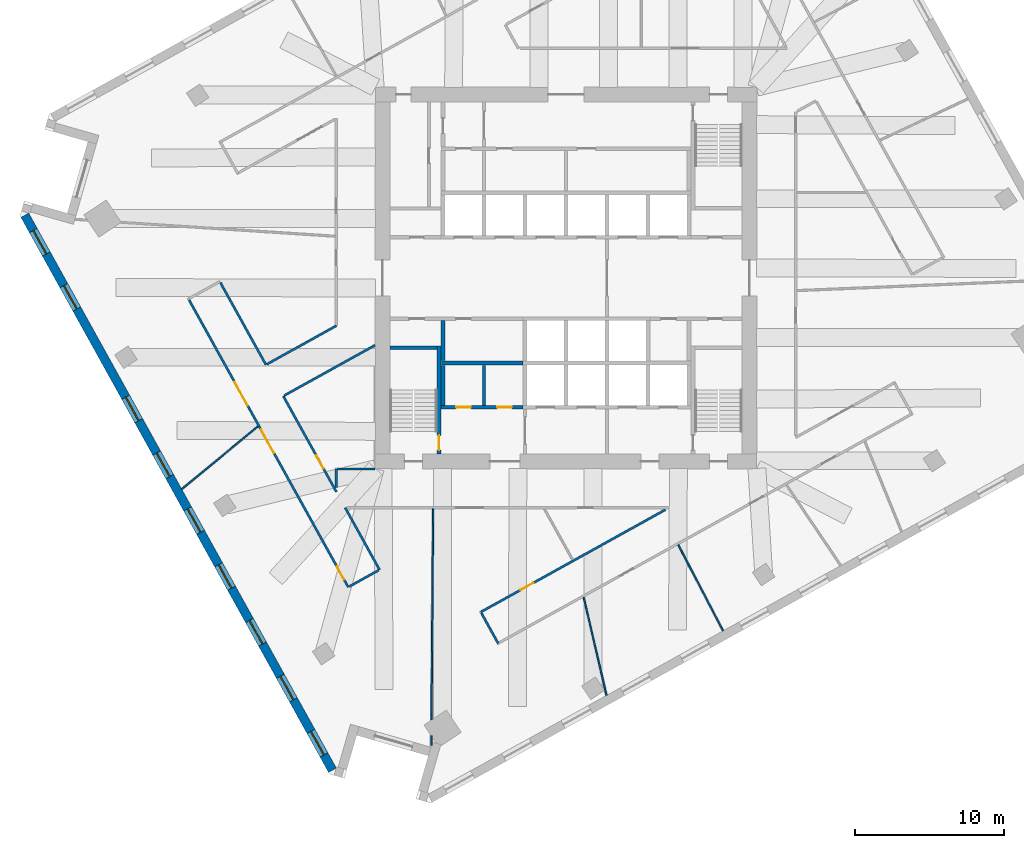
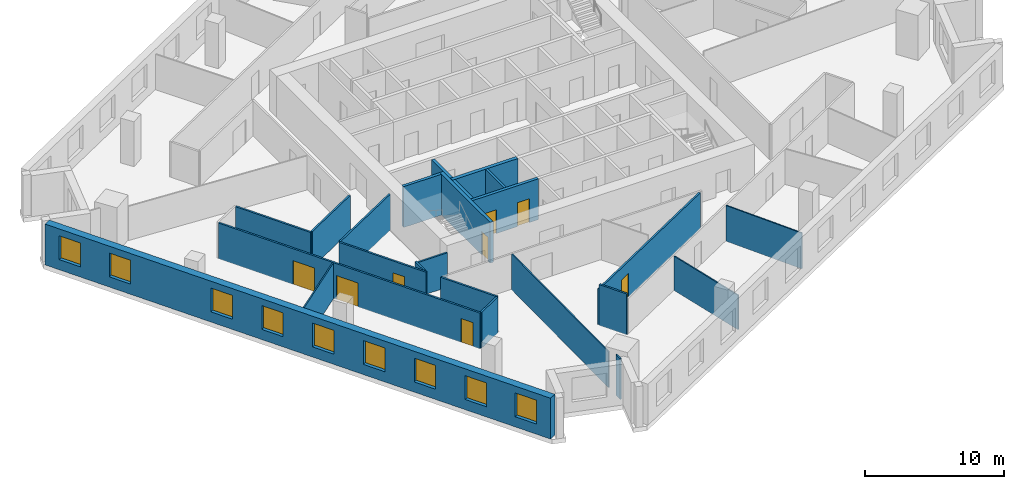
# One storey, part 4 of 11: 24 walls, 9 windows, 8 doors, 17 openings.
"""IFC4 building model written with IfcOpenShell, lengths in metres."""

from ifc_helpers import new_model, si_unit, direction, frame, frame_2d, origin, place, context, subcontext, project, spatial, rectangle, extrude, material, layer, layer_set, type_object, element, fill, save


model = new_model("IFC4")

# Units and contexts
model_context = context("Model", 3, precision=1e-05, world=origin(), true_north=direction((0.0, 1.0)))
body_context = subcontext(model_context, "Body", "Model", "MODEL_VIEW")
ifc_project = project(units=[si_unit("LENGTHUNIT", "METRE"), si_unit("AREAUNIT", "SQUARE_METRE"), si_unit("VOLUMEUNIT", "CUBIC_METRE"), si_unit("PLANEANGLEUNIT", "RADIAN"), si_unit("MASSUNIT", "GRAM", prefix="KILO")], contexts=[model_context])

# Site, building, storey
site_placement = place(None, origin())
site = spatial("IfcSite", under=ifc_project, at=site_placement, CompositionType="ELEMENT")
building_placement = place(site_placement, origin())
building = spatial("IfcBuilding", under=site, at=building_placement, Name="Dilmun Exchange Tower", CompositionType="ELEMENT")
storey_placement = place(building_placement, frame((0.0, 0.0, 135.699951171875)))
storey = spatial("IfcBuildingStorey", under=building, at=storey_placement, Name="L31", CompositionType="ELEMENT", Elevation=135.699951171875)

# Wall
ifc_material_1 = material(Name="Concrete C40/50", Category="concrete")
ifc_layer_1 = layer(ifc_material_1, 0.199951171875)
ifc_layer_set_1 = layer_set([ifc_layer_1], Name="Concrete C40/50")
wall_type_1 = type_object("IfcWallType", Name="Core partition wall 200", PredefinedType="PARTITIONING", material=ifc_layer_set_1)
wall_1_placement = place(storey_placement, frame((-5.5, -8.544921875, 0.0), z_axis=(0.0, 0.0, 1.0), x_axis=(0.0, 1.0, 0.0)))
element("IfcWall", 1, at=wall_1_placement, inside=storey, type_object=wall_type_1, Name="L31 core partition wall 05", PredefinedType="PARTITIONING", context=body_context, shape_type="SweptSolid", body=[
    extrude(rectangle(XDim=2.68994140625, YDim=0.199951171875, at=frame_2d((1.344970703125, 0.0))), origin(), (0.0, 0.0, 1.0), 3.60009765625),
])

# Wall, openings, doors
ifc_layer_2 = layer(ifc_material_1, 0.25)
ifc_layer_set_2 = layer_set([ifc_layer_2], Name="Concrete C40/50")
wall_type_2 = type_object("IfcWallType", Name="Core partition wall 250", PredefinedType="PARTITIONING", material=ifc_layer_set_2)
wall_2_placement = place(storey_placement, frame((-8.3701171875, -8.675048828125, 0.0), z_axis=(0.0, 0.0, 1.0), x_axis=(1.0, 0.0, 0.0)))
wall_2 = element("IfcWall", 2, at=wall_2_placement, inside=storey, type_object=wall_type_2, Name="L31 core partition wall 03", PredefinedType="PARTITIONING", context=body_context, shape_type="SweptSolid", body=[
    extrude(rectangle(XDim=5.490234375, YDim=0.25, at=frame_2d((2.7451171875, 0.0))), origin(), (0.0, 0.0, 1.0), 3.60009765625),
])
opening_1_placement = place(wall_2_placement, frame((0.9951171875, 0.0, 0.0)))
opening_1 = element("IfcOpeningElement", 3, at=opening_1_placement, cuts=wall_2, Name="Opening CD4", PredefinedType="OPENING", context=body_context, shape_type="SweptSolid", body=[
    extrude(rectangle(XDim=1.0, YDim=2.10009765625, at=frame_2d((0.5, 1.050048828125))), frame((0.0, 0.135009765625, 0.0), z_axis=(0.0, -1.0, 0.0), x_axis=(1.0, 0.0, 0.0)), (0.0, 0.0, 1.0), 0.27001953125),
])
opening_2_placement = place(wall_2_placement, frame((3.7451171875, 0.0, 0.0)))
opening_2 = element("IfcOpeningElement", 4, at=opening_2_placement, cuts=wall_2, Name="Opening CD4", PredefinedType="OPENING", context=body_context, shape_type="SweptSolid", body=[
    extrude(rectangle(XDim=1.0, YDim=2.10009765625, at=frame_2d((0.5, 1.050048828125))), frame((0.0, 0.135009765625, 0.0), z_axis=(0.0, -1.0, 0.0), x_axis=(1.0, 0.0, 0.0)), (0.0, 0.0, 1.0), 0.27001953125),
])
ifc_material_2 = material(Name="Fire-rated steel door set", Category="steel")
door_type_1 = type_object("IfcDoorType", Name="Core room door 1000x2100", OperationType="SINGLE_SWING_LEFT", PredefinedType="DOOR", material=ifc_material_2)
door_1_placement = place(opening_1_placement, origin())
door_1 = element("IfcDoor", 5, at=door_1_placement, inside=storey, type_object=door_type_1, Name="L31 door Male WC", OperationType="SINGLE_SWING_RIGHT", OverallHeight=2.10009765625, OverallWidth=1.0, PredefinedType="DOOR", context=body_context, shape_type="SweptSolid", body=[
    extrude(rectangle(XDim=1.0, YDim=2.10009765625, at=frame_2d((0.5, 1.050048828125))), frame((0.0, 0.02490234375, 0.0), z_axis=(0.0, -1.0, 0.0), x_axis=(1.0, 0.0, 0.0)), (0.0, 0.0, 1.0), 0.050048828125),
])
fill(opening_1, door_1)
door_2_placement = place(opening_2_placement, origin())
door_2 = element("IfcDoor", 6, at=door_2_placement, inside=storey, type_object=door_type_1, Name="L31 door Female WC", OperationType="SINGLE_SWING_RIGHT", OverallHeight=2.10009765625, OverallWidth=1.0, PredefinedType="DOOR", context=body_context, shape_type="SweptSolid", body=[
    extrude(rectangle(XDim=1.0, YDim=2.10009765625, at=frame_2d((0.5, 1.050048828125))), frame((0.0, 0.02490234375, 0.0), z_axis=(0.0, -1.0, 0.0), x_axis=(1.0, 0.0, 0.0)), (0.0, 0.0, 1.0), 0.050048828125),
])
fill(opening_2, door_2)

# Walls
for number, where, z_axis, x_axis, name in (
    (7, (-8.25, -8.544921875, 0.0), (0.0, 0.0, 1.0), (0.0, 1.0, 0.0), "L31 core partition wall 04"),
    (8, (-8.25, -5.544921875, 0.0), (0.0, 0.0, 1.0), (0.0, 1.0, 0.0), "L31 core partition wall 07"),
):
    element("IfcWall", number, at=place(storey_placement, frame(where, z_axis=z_axis, x_axis=x_axis)), inside=storey, type_object=wall_type_2, Name=name, PredefinedType="PARTITIONING", context=body_context, shape_type="SweptSolid", body=[
        extrude(rectangle(XDim=2.68994140625, YDim=0.25, at=frame_2d((1.344970703125, 0.0))), origin(), (0.0, 0.0, 1.0), 3.60009765625),
    ])
ifc_layer_3 = layer(ifc_material_1, 0.300048828125)
ifc_layer_set_3 = layer_set([ifc_layer_3], Name="Concrete C40/50")
wall_type_3 = type_object("IfcWallType", Name="Core partition wall 300", PredefinedType="PARTITIONING", material=ifc_layer_set_3)
wall_3_placement = place(storey_placement, frame((-8.35009765625, -5.699951171875, 0.0), z_axis=(0.0, 0.0, 1.0), x_axis=(1.0, 0.0, 0.0)))
element("IfcWall", 9, at=wall_3_placement, inside=storey, type_object=wall_type_3, Name="L31 core partition wall 06", PredefinedType="PARTITIONING", context=body_context, shape_type="SweptSolid", body=[
    extrude(rectangle(XDim=5.47021484375, YDim=0.300048828125, at=frame_2d((2.735107421875, 0.0))), origin(), (0.0, 0.0, 1.0), 3.60009765625),
])

# Wall, openings, doors
ifc_material_3 = material(Name="Corridor wall 150")
ifc_layer_4 = layer(ifc_material_3, 0.14990234375)
ifc_layer_set_4 = layer_set([ifc_layer_4], Name="Corridor wall 150")
wall_type_4 = type_object("IfcWallType", Name="Corridor wall 150", PredefinedType="PARTITIONING", material=ifc_layer_set_4)
wall_4_placement = place(storey_placement, frame((-25.278564453125, -1.466552734375, 0.0), z_axis=(0.0, 0.0, 1.0), x_axis=(0.484803020703, -0.874623365294, 0.0)))
wall_4 = element("IfcWall", 10, at=wall_4_placement, inside=storey, type_object=wall_type_4, Name="Corridor wall", PredefinedType="PARTITIONING", context=body_context, shape_type="SweptSolid", body=[
    extrude(rectangle(XDim=22.020263671875, YDim=0.14990234375, at=frame_2d((11.01025390625, 0.0))), origin(), (0.0, 0.0, 1.0), 3.150146484375),
])
opening_3_placement = place(wall_4_placement, frame((6.300048828125, 0.0, 0.0)))
opening_3 = element("IfcOpeningElement", 11, at=opening_3_placement, cuts=wall_4, Name="Opening TF31-D01", PredefinedType="OPENING", context=body_context, shape_type="SweptSolid", body=[
    extrude(rectangle(XDim=1.800048828125, YDim=2.10009765625, at=frame_2d((0.89990234375, 1.050048828125))), frame((0.0, 0.0849609375, 0.0), z_axis=(0.0, -1.0, 0.0), x_axis=(1.0, 0.0, 0.0)), (0.0, 0.0, 1.0), 0.169921875),
])
opening_4_placement = place(wall_4_placement, frame((9.94775390625, 0.0, 0.0)))
opening_4 = element("IfcOpeningElement", 12, at=opening_4_placement, cuts=wall_4, Name="Opening TF31-D05", PredefinedType="OPENING", context=body_context, shape_type="SweptSolid", body=[
    extrude(rectangle(XDim=1.800048828125, YDim=2.10009765625, at=frame_2d((0.89990234375, 1.050048828125))), frame((0.0, 0.0849609375, 0.0), z_axis=(0.0, -1.0, 0.0), x_axis=(1.0, 0.0, 0.0)), (0.0, 0.0, 1.0), 0.169921875),
])
opening_5_placement = place(wall_4_placement, frame((20.44775390625, 0.0, 0.0)))
opening_5 = element("IfcOpeningElement", 13, at=opening_5_placement, cuts=wall_4, Name="Opening TF31-D06", PredefinedType="OPENING", context=body_context, shape_type="SweptSolid", body=[
    extrude(rectangle(XDim=1.0, YDim=2.10009765625, at=frame_2d((0.5, 1.050048828125))), frame((0.0, 0.0849609375, 0.0), z_axis=(0.0, -1.0, 0.0), x_axis=(1.0, 0.0, 0.0)), (0.0, 0.0, 1.0), 0.169921875),
])
ifc_material_4 = material(Name="Fire door 1000 x 2100")
door_type_2 = type_object("IfcDoorType", Name="Fire door 1000 x 2100", OperationType="NOTDEFINED", PredefinedType="DOOR", material=ifc_material_4)
door_3_placement = place(opening_5_placement, frame((1.0, 0.0, 0.0), z_axis=(0.0, 0.0, 1.0), x_axis=(-1.0, 0.0, 0.0)))
door_3 = element("IfcDoor", 14, at=door_3_placement, inside=storey, type_object=door_type_2, Name="Door TF31-D06", OperationType="SINGLE_SWING_LEFT", OverallHeight=2.10009765625, OverallWidth=1.0, PredefinedType="DOOR", context=body_context, shape_type="SweptSolid", body=[
    extrude(rectangle(XDim=1.0, YDim=2.10009765625, at=frame_2d((0.5, 1.050048828125))), frame((0.0, 0.02490234375, 0.0), z_axis=(0.0, -1.0, 0.0), x_axis=(1.0, 0.0, 0.0)), (0.0, 0.0, 1.0), 0.050048828125),
])
fill(opening_5, door_3)
ifc_material_5 = material(Name="Fire door pair 1800 x 2100")
door_type_3 = type_object("IfcDoorType", Name="Fire door pair 1800 x 2100", OperationType="NOTDEFINED", PredefinedType="DOOR", material=ifc_material_5)
door_4_placement = place(opening_3_placement, frame((1.800048828125, 0.0, 0.0), z_axis=(0.0, 0.0, 1.0), x_axis=(-1.0, 0.0, 0.0)))
door_4 = element("IfcDoor", 15, at=door_4_placement, inside=storey, type_object=door_type_3, Name="Door TF31-D01", OperationType="DOUBLE_DOOR_SINGLE_SWING", OverallHeight=2.10009765625, OverallWidth=1.800048828125, PredefinedType="DOOR", context=body_context, shape_type="SweptSolid", body=[
    extrude(rectangle(XDim=1.800048828125, YDim=2.10009765625, at=frame_2d((0.89990234375, 1.050048828125))), frame((0.0, 0.02490234375, 0.0), z_axis=(0.0, -1.0, 0.0), x_axis=(1.0, 0.0, 0.0)), (0.0, 0.0, 1.0), 0.050048828125),
])
fill(opening_3, door_4)
door_5_placement = place(opening_4_placement, frame((1.800048828125, 0.0, 0.0), z_axis=(0.0, 0.0, 1.0), x_axis=(-1.0, 0.0, 0.0)))
door_5 = element("IfcDoor", 16, at=door_5_placement, inside=storey, type_object=door_type_3, Name="Door TF31-D05", OperationType="DOUBLE_DOOR_SINGLE_SWING", OverallHeight=2.10009765625, OverallWidth=1.800048828125, PredefinedType="DOOR", context=body_context, shape_type="SweptSolid", body=[
    extrude(rectangle(XDim=1.800048828125, YDim=2.10009765625, at=frame_2d((0.89990234375, 1.050048828125))), frame((0.0, 0.02490234375, 0.0), z_axis=(0.0, -1.0, 0.0), x_axis=(1.0, 0.0, 0.0)), (0.0, 0.0, 1.0), 0.050048828125),
])
fill(opening_4, door_5)

# Walls
wall_5_placement = place(storey_placement, frame((-23.1796875, -0.302490234375, 0.0), z_axis=(0.0, 0.0, 1.0), x_axis=(0.48477505554, -0.874638865776, 0.0)))
element("IfcWall", 17, at=wall_5_placement, inside=storey, type_object=wall_type_4, Name="Corridor wall", PredefinedType="PARTITIONING", context=body_context, shape_type="SweptSolid", body=[
    extrude(rectangle(XDim=6.307373046875, YDim=0.14990234375, at=frame_2d((3.15380859375, 0.0))), origin(), (0.0, 0.0, 1.0), 3.150146484375),
])
wall_6_placement = place(storey_placement, frame((-20.056396484375, -5.78271484375, 0.0), z_axis=(0.0, 0.0, 1.0), x_axis=(0.874645694613, 0.484762734638, 0.0)))
element("IfcWall", 18, at=wall_6_placement, inside=storey, type_object=wall_type_4, Name="Corridor wall", PredefinedType="PARTITIONING", context=body_context, shape_type="SweptSolid", body=[
    extrude(rectangle(XDim=5.323974609375, YDim=0.14990234375, at=frame_2d((2.662109375, 0.0))), origin(), (0.0, 0.0, 1.0), 3.150146484375),
])

# Wall, opening, door
wall_7_placement = place(storey_placement, frame((-18.958984375, -7.91796875, 0.0), z_axis=(0.0, 0.0, 1.0), x_axis=(0.484857684507, -0.874593062958, 0.0)))
wall_7 = element("IfcWall", 19, at=wall_7_placement, inside=storey, type_object=wall_type_4, Name="Corridor wall", PredefinedType="PARTITIONING", context=body_context, shape_type="SweptSolid", body=[
    extrude(rectangle(XDim=7.340576171875, YDim=0.14990234375, at=frame_2d((3.67041015625, 0.0))), origin(), (0.0, 0.0, 1.0), 3.150146484375),
])
opening_6_placement = place(wall_7_placement, frame((4.55029296875, 0.0, 0.0)))
opening_6 = element("IfcOpeningElement", 20, at=opening_6_placement, cuts=wall_7, Name="Opening TF31-D07", PredefinedType="OPENING", context=body_context, shape_type="SweptSolid", body=[
    extrude(rectangle(XDim=1.0, YDim=2.10009765625, at=frame_2d((0.5, 1.050048828125))), frame((0.0, 0.0849609375, 0.0), z_axis=(0.0, -1.0, 0.0), x_axis=(1.0, 0.0, 0.0)), (0.0, 0.0, 1.0), 0.169921875),
])
door_6_placement = place(opening_6_placement, origin())
door_6 = element("IfcDoor", 21, at=door_6_placement, inside=storey, type_object=door_type_2, Name="Door TF31-D07", OperationType="SINGLE_SWING_LEFT", OverallHeight=2.10009765625, OverallWidth=1.0, PredefinedType="DOOR", context=body_context, shape_type="SweptSolid", body=[
    extrude(rectangle(XDim=1.0, YDim=2.10009765625, at=frame_2d((0.5, 1.050048828125))), frame((0.0, 0.02490234375, 0.0), z_axis=(0.0, -1.0, 0.0), x_axis=(1.0, 0.0, 0.0)), (0.0, 0.0, 1.0), 0.050048828125),
])
fill(opening_6, door_6)

# Walls
wall_8_placement = place(storey_placement, frame((-18.893310546875, -7.881591796875, 0.0), z_axis=(0.0, 0.0, 1.0), x_axis=(0.874670900287, 0.484717253861, 0.0)))
element("IfcWall", 22, at=wall_8_placement, inside=storey, type_object=wall_type_4, Name="Corridor wall", PredefinedType="PARTITIONING", context=body_context, shape_type="SweptSolid", body=[
    extrude(rectangle(XDim=6.96630859375, YDim=0.14990234375, at=frame_2d((3.483154296875, 0.0))), origin(), (0.0, 0.0, 1.0), 3.150146484375),
])
wall_9_placement = place(storey_placement, frame((-15.39990234375, -14.048095703125, 0.0), z_axis=(0.0, 0.0, 1.0), x_axis=(0.0, 1.0, 0.0)))
element("IfcWall", 23, at=wall_9_placement, inside=storey, type_object=wall_type_4, Name="Corridor wall", PredefinedType="PARTITIONING", context=body_context, shape_type="SweptSolid", body=[
    extrude(rectangle(XDim=1.248046875, YDim=0.14990234375, at=frame_2d((0.6240234375, 0.0))), origin(), (0.0, 0.0, 1.0), 3.150146484375),
])
wall_10_placement = place(storey_placement, frame((-15.324951171875, -12.800048828125, 0.0), z_axis=(0.0, 0.0, 1.0), x_axis=(1.0, 0.0, 0.0)))
element("IfcWall", 24, at=wall_10_placement, inside=storey, type_object=wall_type_4, Name="Corridor wall", PredefinedType="PARTITIONING", context=body_context, shape_type="SweptSolid", body=[
    extrude(rectangle(XDim=2.52490234375, YDim=0.14990234375, at=frame_2d((1.262451171875, 0.0))), origin(), (0.0, 0.0, 1.0), 3.030029296875),
])
wall_11_placement = place(storey_placement, frame((-14.81103515625, -15.39990234375, 0.0), z_axis=(0.0, 0.0, 1.0), x_axis=(0.484728084089, -0.874664898401, 0.0)))
element("IfcWall", 25, at=wall_11_placement, inside=storey, type_object=wall_type_4, Name="Corridor wall", PredefinedType="PARTITIONING", context=body_context, shape_type="SweptSolid", body=[
    extrude(rectangle(XDim=4.759521484375, YDim=0.14990234375, at=frame_2d((2.3798828125, 0.0))), origin(), (0.0, 0.0, 1.0), 3.150146484375),
])
wall_12_placement = place(storey_placement, frame((-14.537353515625, -20.689697265625, 0.0), z_axis=(0.0, 0.0, 1.0), x_axis=(0.874699347934, 0.48466591661, 0.0)))
element("IfcWall", 26, at=wall_12_placement, inside=storey, type_object=wall_type_4, Name="Corridor wall", PredefinedType="PARTITIONING", context=body_context, shape_type="SweptSolid", body=[
    extrude(rectangle(XDim=2.249755859375, YDim=0.14990234375, at=frame_2d((1.125, 0.0))), origin(), (0.0, 0.0, 1.0), 3.150146484375),
])

# Wall, opening, door
wall_13_placement = place(storey_placement, frame((-5.714111328125, -22.39892578125, 0.0), z_axis=(0.0, 0.0, 1.0), x_axis=(0.874614395079, 0.484819203334, 0.0)))
wall_13 = element("IfcWall", 27, at=wall_13_placement, inside=storey, type_object=wall_type_4, Name="Corridor wall", PredefinedType="PARTITIONING", context=body_context, shape_type="SweptSolid", body=[
    extrude(rectangle(XDim=14.146240234375, YDim=0.14990234375, at=frame_2d((7.0732421875, 0.0))), origin(), (0.0, 0.0, 1.0), 3.150146484375),
])
opening_7_placement = place(wall_13_placement, frame((3.050048828125, 0.0, 0.0)))
opening_7 = element("IfcOpeningElement", 28, at=opening_7_placement, cuts=wall_13, Name="Opening TF31-D11", PredefinedType="OPENING", context=body_context, shape_type="SweptSolid", body=[
    extrude(rectangle(XDim=1.0, YDim=2.10009765625, at=frame_2d((0.5, 1.050048828125))), frame((0.0, 0.0849609375, 0.0), z_axis=(0.0, -1.0, 0.0), x_axis=(1.0, 0.0, 0.0)), (0.0, 0.0, 1.0), 0.169921875),
])
door_7_placement = place(opening_7_placement, origin())
door_7 = element("IfcDoor", 29, at=door_7_placement, inside=storey, type_object=door_type_2, Name="Door TF31-D11", OperationType="SINGLE_SWING_LEFT", OverallHeight=2.10009765625, OverallWidth=1.0, PredefinedType="DOOR", context=body_context, shape_type="SweptSolid", body=[
    extrude(rectangle(XDim=1.0, YDim=2.10009765625, at=frame_2d((0.5, 1.050048828125))), frame((0.0, 0.02490234375, 0.0), z_axis=(0.0, -1.0, 0.0), x_axis=(1.0, 0.0, 0.0)), (0.0, 0.0, 1.0), 0.050048828125),
])
fill(opening_7, door_7)

# Walls
wall_14_placement = place(storey_placement, frame((-5.677490234375, -22.464599609375, 0.0), z_axis=(0.0, 0.0, 1.0), x_axis=(0.484902784843, -0.874568058673, 0.0)))
element("IfcWall", 30, at=wall_14_placement, inside=storey, type_object=wall_type_4, Name="Corridor wall", PredefinedType="PARTITIONING", context=body_context, shape_type="SweptSolid", body=[
    extrude(rectangle(XDim=2.3251953125, YDim=0.14990234375, at=frame_2d((1.16259765625, 0.0))), origin(), (0.0, 0.0, 1.0), 3.60009765625),
])
ifc_material_6 = material(Name="Partition 100")
ifc_layer_5 = layer(ifc_material_6, 0.10009765625)
ifc_layer_set_5 = layer_set([ifc_layer_5], Name="Partition 100")
wall_type_5 = type_object("IfcWallType", Name="Partition 100", PredefinedType="PARTITIONING", material=ifc_layer_set_5)
wall_15_placement = place(storey_placement, frame((-25.76513671875, -14.15673828125, 0.0), z_axis=(0.0, 0.0, 1.0), x_axis=(0.772001730939, 0.635620427164, 0.0)))
element("IfcWall", 31, at=wall_15_placement, inside=storey, type_object=wall_type_5, Name="Partition", PredefinedType="PARTITIONING", context=body_context, shape_type="SweptSolid", body=[
    extrude(rectangle(XDim=6.603759765625, YDim=0.10009765625, at=frame_2d((3.3017578125, 0.0))), origin(), (0.0, 0.0, 1.0), 3.150146484375),
])
wall_16_placement = place(storey_placement, frame((-9.0361328125, -31.340087890625, 0.0), z_axis=(0.0, 0.0, 1.0), x_axis=(0.008145579251, 0.999966824219, 0.0)))
element("IfcWall", 32, at=wall_16_placement, inside=storey, type_object=wall_type_5, Name="Partition", PredefinedType="PARTITIONING", context=body_context, shape_type="SweptSolid", body=[
    extrude(rectangle(XDim=0.62939453125, YDim=0.10009765625, at=frame_2d((0.314697265625, 0.0))), origin(), (0.0, 0.0, 1.0), 3.60009765625),
])
wall_17_placement = place(storey_placement, frame((-9.022705078125, -29.63720703125, 0.0), z_axis=(0.0, 0.0, 1.0), x_axis=(0.007843639619, 0.999969238186, 0.0)))
element("IfcWall", 33, at=wall_17_placement, inside=storey, type_object=wall_type_5, Name="Partition", PredefinedType="PARTITIONING", context=body_context, shape_type="SweptSolid", body=[
    extrude(rectangle(XDim=14.162353515625, YDim=0.10009765625, at=frame_2d((7.0810546875, 0.0))), origin(), (0.0, 0.0, 1.0), 3.150146484375),
])
wall_18_placement = place(storey_placement, frame((1.18798828125, -21.4189453125, 0.0), z_axis=(0.0, 0.0, 1.0), x_axis=(0.226360220424, -0.974043659499, 0.0)))
element("IfcWall", 34, at=wall_18_placement, inside=storey, type_object=wall_type_5, Name="Partition", PredefinedType="PARTITIONING", context=body_context, shape_type="SweptSolid", body=[
    extrude(rectangle(XDim=6.747314453125, YDim=0.10009765625, at=frame_2d((3.37353515625, 0.0))), origin(), (0.0, 0.0, 1.0), 3.030029296875),
])
wall_19_placement = place(storey_placement, frame((7.5244140625, -17.892578125, 0.0), z_axis=(0.0, 0.0, 1.0), x_axis=(0.462569855846, -0.886582837902, 0.0)))
element("IfcWall", 35, at=wall_19_placement, inside=storey, type_object=wall_type_5, Name="Partition", PredefinedType="PARTITIONING", context=body_context, shape_type="SweptSolid", body=[
    extrude(rectangle(XDim=6.5029296875, YDim=0.10009765625, at=frame_2d((3.25146484375, 0.0))), origin(), (0.0, 0.0, 1.0), 3.150146484375),
])

# Wall, openings, windows
ifc_material_7 = material(Name="Precast concrete C50/60", Category="concrete")
ifc_layer_6 = layer(ifc_material_7, 0.60009765625)
ifc_layer_set_6 = layer_set([ifc_layer_6], Name="Precast concrete C50/60")
wall_type_6 = type_object("IfcWallType", Name="Precast stone-clad wall 600", PredefinedType="STANDARD", material=ifc_layer_set_6)
wall_20_placement = place(storey_placement, frame((-36.291015625, 4.209228515625, 0.0), z_axis=(0.0, 0.0, 1.0), x_axis=(0.484810659622, -0.874619131003, 0.0)))
wall_20 = element("IfcWall", 36, at=wall_20_placement, inside=storey, type_object=wall_type_6, Name="Facade wall L31-09", PredefinedType="STANDARD", context=body_context, shape_type="SweptSolid", body=[
    extrude(rectangle(XDim=42.551513671875, YDim=0.60009765625, at=frame_2d((21.27587890625, 0.0))), origin(), (0.0, 0.0, 1.0), 3.60009765625),
])
opening_8_placement = place(wall_20_placement, frame((1.177978515625, 0.0, 0.89990234375)))
opening_8 = element("IfcOpeningElement", 37, at=opening_8_placement, cuts=wall_20, Name="Opening W180-210", PredefinedType="OPENING", context=body_context, shape_type="SweptSolid", body=[
    extrude(rectangle(XDim=1.800048828125, YDim=2.10009765625, at=frame_2d((0.89990234375, 1.050048828125))), frame((0.0, 0.31005859375, 0.0), z_axis=(0.0, -1.0, 0.0), x_axis=(1.0, 0.0, 0.0)), (0.0, 0.0, 1.0), 0.6201171875),
])
opening_9_placement = place(wall_20_placement, frame((5.395751953125, 0.0, 0.89990234375)))
opening_9 = element("IfcOpeningElement", 38, at=opening_9_placement, cuts=wall_20, Name="Opening W180-210", PredefinedType="OPENING", context=body_context, shape_type="SweptSolid", body=[
    extrude(rectangle(XDim=1.800048828125, YDim=2.10009765625, at=frame_2d((0.89990234375, 1.050048828125))), frame((0.0, 0.31005859375, 0.0), z_axis=(0.0, -1.0, 0.0), x_axis=(1.0, 0.0, 0.0)), (0.0, 0.0, 1.0), 0.6201171875),
])
opening_10_placement = place(wall_20_placement, frame((13.955810546875, 0.0, 0.89990234375)))
opening_10 = element("IfcOpeningElement", 39, at=opening_10_placement, cuts=wall_20, Name="Opening W180-210", PredefinedType="OPENING", context=body_context, shape_type="SweptSolid", body=[
    extrude(rectangle(XDim=1.800048828125, YDim=2.10009765625, at=frame_2d((0.89990234375, 1.050048828125))), frame((0.0, 0.31005859375, 0.0), z_axis=(0.0, -1.0, 0.0), x_axis=(1.0, 0.0, 0.0)), (0.0, 0.0, 1.0), 0.6201171875),
])
opening_11_placement = place(wall_20_placement, frame((18.235595703125, 0.0, 0.89990234375)))
opening_11 = element("IfcOpeningElement", 40, at=opening_11_placement, cuts=wall_20, Name="Opening W180-210", PredefinedType="OPENING", context=body_context, shape_type="SweptSolid", body=[
    extrude(rectangle(XDim=1.800048828125, YDim=2.10009765625, at=frame_2d((0.89990234375, 1.050048828125))), frame((0.0, 0.31005859375, 0.0), z_axis=(0.0, -1.0, 0.0), x_axis=(1.0, 0.0, 0.0)), (0.0, 0.0, 1.0), 0.6201171875),
])
opening_12_placement = place(wall_20_placement, frame((22.515625, 0.0, 0.89990234375)))
opening_12 = element("IfcOpeningElement", 41, at=opening_12_placement, cuts=wall_20, Name="Opening W180-210", PredefinedType="OPENING", context=body_context, shape_type="SweptSolid", body=[
    extrude(rectangle(XDim=1.800048828125, YDim=2.10009765625, at=frame_2d((0.89990234375, 1.050048828125))), frame((0.0, 0.31005859375, 0.0), z_axis=(0.0, -1.0, 0.0), x_axis=(1.0, 0.0, 0.0)), (0.0, 0.0, 1.0), 0.6201171875),
])
opening_13_placement = place(wall_20_placement, frame((26.795654296875, 0.0, 0.89990234375)))
opening_13 = element("IfcOpeningElement", 42, at=opening_13_placement, cuts=wall_20, Name="Opening W180-210", PredefinedType="OPENING", context=body_context, shape_type="SweptSolid", body=[
    extrude(rectangle(XDim=1.800048828125, YDim=2.10009765625, at=frame_2d((0.89990234375, 1.050048828125))), frame((0.0, 0.31005859375, 0.0), z_axis=(0.0, -1.0, 0.0), x_axis=(1.0, 0.0, 0.0)), (0.0, 0.0, 1.0), 0.6201171875),
])
opening_14_placement = place(wall_20_placement, frame((31.07568359375, 0.0, 0.89990234375)))
opening_14 = element("IfcOpeningElement", 43, at=opening_14_placement, cuts=wall_20, Name="Opening W180-210", PredefinedType="OPENING", context=body_context, shape_type="SweptSolid", body=[
    extrude(rectangle(XDim=1.800048828125, YDim=2.10009765625, at=frame_2d((0.89990234375, 1.050048828125))), frame((0.0, 0.31005859375, 0.0), z_axis=(0.0, -1.0, 0.0), x_axis=(1.0, 0.0, 0.0)), (0.0, 0.0, 1.0), 0.6201171875),
])
opening_15_placement = place(wall_20_placement, frame((35.355712890625, 0.0, 0.89990234375)))
opening_15 = element("IfcOpeningElement", 44, at=opening_15_placement, cuts=wall_20, Name="Opening W180-210", PredefinedType="OPENING", context=body_context, shape_type="SweptSolid", body=[
    extrude(rectangle(XDim=1.800048828125, YDim=2.10009765625, at=frame_2d((0.89990234375, 1.050048828125))), frame((0.0, 0.31005859375, 0.0), z_axis=(0.0, -1.0, 0.0), x_axis=(1.0, 0.0, 0.0)), (0.0, 0.0, 1.0), 0.6201171875),
])
opening_16_placement = place(wall_20_placement, frame((39.573486328125, 0.0, 0.89990234375)))
opening_16 = element("IfcOpeningElement", 45, at=opening_16_placement, cuts=wall_20, Name="Opening W180-210", PredefinedType="OPENING", context=body_context, shape_type="SweptSolid", body=[
    extrude(rectangle(XDim=1.800048828125, YDim=2.10009765625, at=frame_2d((0.89990234375, 1.050048828125))), frame((0.0, 0.31005859375, 0.0), z_axis=(0.0, -1.0, 0.0), x_axis=(1.0, 0.0, 0.0)), (0.0, 0.0, 1.0), 0.6201171875),
])
ifc_material_8 = material(Name="Clear low-emissivity glass in aluminium frame", Category="aluminium")
window_type = type_object("IfcWindowType", Name="Punched window 1800 x 2100", PartitioningType="DOUBLE_PANEL_VERTICAL", PredefinedType="WINDOW", material=ifc_material_8)
window_1_placement = place(opening_8_placement, origin())
window_1 = element("IfcWindow", 46, at=window_1_placement, inside=storey, type_object=window_type, Name="Window 10.1", OverallHeight=2.10009765625, OverallWidth=1.800048828125, PartitioningType="SINGLE_PANEL", PredefinedType="WINDOW", context=body_context, shape_type="SweptSolid", body=[
    extrude(rectangle(XDim=1.800048828125, YDim=2.10009765625, at=frame_2d((0.89990234375, 1.050048828125))), frame((0.0, 0.030029296875, 0.0), z_axis=(0.0, -1.0, 0.0), x_axis=(1.0, 0.0, 0.0)), (0.0, 0.0, 1.0), 0.06005859375),
])
fill(opening_8, window_1)
window_2_placement = place(opening_9_placement, origin())
window_2 = element("IfcWindow", 47, at=window_2_placement, inside=storey, type_object=window_type, Name="Window 10.2", OverallHeight=2.10009765625, OverallWidth=1.800048828125, PartitioningType="SINGLE_PANEL", PredefinedType="WINDOW", context=body_context, shape_type="SweptSolid", body=[
    extrude(rectangle(XDim=1.800048828125, YDim=2.10009765625, at=frame_2d((0.89990234375, 1.050048828125))), frame((0.0, 0.030029296875, 0.0), z_axis=(0.0, -1.0, 0.0), x_axis=(1.0, 0.0, 0.0)), (0.0, 0.0, 1.0), 0.06005859375),
])
fill(opening_9, window_2)
window_3_placement = place(opening_10_placement, origin())
window_3 = element("IfcWindow", 48, at=window_3_placement, inside=storey, type_object=window_type, Name="Window 10.4", OverallHeight=2.10009765625, OverallWidth=1.800048828125, PartitioningType="SINGLE_PANEL", PredefinedType="WINDOW", context=body_context, shape_type="SweptSolid", body=[
    extrude(rectangle(XDim=1.800048828125, YDim=2.10009765625, at=frame_2d((0.89990234375, 1.050048828125))), frame((0.0, 0.030029296875, 0.0), z_axis=(0.0, -1.0, 0.0), x_axis=(1.0, 0.0, 0.0)), (0.0, 0.0, 1.0), 0.06005859375),
])
fill(opening_10, window_3)
window_4_placement = place(opening_11_placement, origin())
window_4 = element("IfcWindow", 49, at=window_4_placement, inside=storey, type_object=window_type, Name="Window 10.5", OverallHeight=2.10009765625, OverallWidth=1.800048828125, PartitioningType="SINGLE_PANEL", PredefinedType="WINDOW", context=body_context, shape_type="SweptSolid", body=[
    extrude(rectangle(XDim=1.800048828125, YDim=2.10009765625, at=frame_2d((0.89990234375, 1.050048828125))), frame((0.0, 0.030029296875, 0.0), z_axis=(0.0, -1.0, 0.0), x_axis=(1.0, 0.0, 0.0)), (0.0, 0.0, 1.0), 0.06005859375),
])
fill(opening_11, window_4)
window_5_placement = place(opening_12_placement, origin())
window_5 = element("IfcWindow", 50, at=window_5_placement, inside=storey, type_object=window_type, Name="Window 10.6", OverallHeight=2.10009765625, OverallWidth=1.800048828125, PartitioningType="SINGLE_PANEL", PredefinedType="WINDOW", context=body_context, shape_type="SweptSolid", body=[
    extrude(rectangle(XDim=1.800048828125, YDim=2.10009765625, at=frame_2d((0.89990234375, 1.050048828125))), frame((0.0, 0.030029296875, 0.0), z_axis=(0.0, -1.0, 0.0), x_axis=(1.0, 0.0, 0.0)), (0.0, 0.0, 1.0), 0.06005859375),
])
fill(opening_12, window_5)
window_6_placement = place(opening_13_placement, origin())
window_6 = element("IfcWindow", 51, at=window_6_placement, inside=storey, type_object=window_type, Name="Window 10.7", OverallHeight=2.10009765625, OverallWidth=1.800048828125, PartitioningType="SINGLE_PANEL", PredefinedType="WINDOW", context=body_context, shape_type="SweptSolid", body=[
    extrude(rectangle(XDim=1.800048828125, YDim=2.10009765625, at=frame_2d((0.89990234375, 1.050048828125))), frame((0.0, 0.030029296875, 0.0), z_axis=(0.0, -1.0, 0.0), x_axis=(1.0, 0.0, 0.0)), (0.0, 0.0, 1.0), 0.06005859375),
])
fill(opening_13, window_6)
window_7_placement = place(opening_14_placement, origin())
window_7 = element("IfcWindow", 52, at=window_7_placement, inside=storey, type_object=window_type, Name="Window 10.8", OverallHeight=2.10009765625, OverallWidth=1.800048828125, PartitioningType="SINGLE_PANEL", PredefinedType="WINDOW", context=body_context, shape_type="SweptSolid", body=[
    extrude(rectangle(XDim=1.800048828125, YDim=2.10009765625, at=frame_2d((0.89990234375, 1.050048828125))), frame((0.0, 0.030029296875, 0.0), z_axis=(0.0, -1.0, 0.0), x_axis=(1.0, 0.0, 0.0)), (0.0, 0.0, 1.0), 0.06005859375),
])
fill(opening_14, window_7)
window_8_placement = place(opening_15_placement, origin())
window_8 = element("IfcWindow", 53, at=window_8_placement, inside=storey, type_object=window_type, Name="Window 10.9", OverallHeight=2.10009765625, OverallWidth=1.800048828125, PartitioningType="SINGLE_PANEL", PredefinedType="WINDOW", context=body_context, shape_type="SweptSolid", body=[
    extrude(rectangle(XDim=1.800048828125, YDim=2.10009765625, at=frame_2d((0.89990234375, 1.050048828125))), frame((0.0, 0.030029296875, 0.0), z_axis=(0.0, -1.0, 0.0), x_axis=(1.0, 0.0, 0.0)), (0.0, 0.0, 1.0), 0.06005859375),
])
fill(opening_15, window_8)
window_9_placement = place(opening_16_placement, origin())
window_9 = element("IfcWindow", 54, at=window_9_placement, inside=storey, type_object=window_type, Name="Window 10.10", OverallHeight=2.10009765625, OverallWidth=1.800048828125, PartitioningType="SINGLE_PANEL", PredefinedType="WINDOW", context=body_context, shape_type="SweptSolid", body=[
    extrude(rectangle(XDim=1.800048828125, YDim=2.10009765625, at=frame_2d((0.89990234375, 1.050048828125))), frame((0.0, 0.030029296875, 0.0), z_axis=(0.0, -1.0, 0.0), x_axis=(1.0, 0.0, 0.0)), (0.0, 0.0, 1.0), 0.06005859375),
])
fill(opening_16, window_9)

# Wall
ifc_layer_7 = layer(ifc_material_1, 0.25)
ifc_layer_set_7 = layer_set([ifc_layer_7], Name="Concrete C40/50")
wall_type_7 = type_object("IfcWallType", Name="Stair end wall 250", PredefinedType="SOLIDWALL", material=ifc_layer_set_7)
wall_21_placement = place(storey_placement, frame((-8.64990234375, -4.675048828125, 0.0), z_axis=(0.0, 0.0, 1.0), x_axis=(-1.0, 0.0, 0.0)))
element("IfcWall", 55, at=wall_21_placement, inside=storey, type_object=wall_type_7, Name="L31 ST2 far wall", PredefinedType="SOLIDWALL", context=body_context, shape_type="SweptSolid", body=[
    extrude(rectangle(XDim=3.150146484375, YDim=0.25, at=frame_2d((1.5751953125, 0.0))), origin(), (0.0, 0.0, 1.0), 3.60009765625),
])

# Wall, opening, door
ifc_layer_8 = layer(ifc_material_1, 0.27490234375)
ifc_layer_set_8 = layer_set([ifc_layer_8], Name="Concrete C40/50")
wall_type_8 = type_object("IfcWallType", Name="Stair wall 275", PredefinedType="SOLIDWALL", material=ifc_layer_set_8)
wall_22_placement = place(storey_placement, frame((-8.512451171875, -4.550048828125, 0.0), z_axis=(0.0, 0.0, 1.0), x_axis=(0.0, -1.0, 0.0)))
wall_22 = element("IfcWall", 56, at=wall_22_placement, inside=storey, type_object=wall_type_8, Name="L31 ST2 wall to lift block", PredefinedType="SOLIDWALL", context=body_context, shape_type="SweptSolid", body=[
    extrude(rectangle(XDim=7.25, YDim=0.27490234375, at=frame_2d((3.625, 0.0))), origin(), (0.0, 0.0, 1.0), 3.60009765625),
])
opening_17_placement = place(wall_22_placement, frame((6.0, 0.0, 0.0)))
opening_17 = element("IfcOpeningElement", 57, at=opening_17_placement, cuts=wall_22, Name="Opening CD4", PredefinedType="OPENING", context=body_context, shape_type="SweptSolid", body=[
    extrude(rectangle(XDim=1.0, YDim=2.10009765625, at=frame_2d((0.5, 1.050048828125))), frame((0.0, 0.1474609375, 0.0), z_axis=(0.0, -1.0, 0.0), x_axis=(1.0, 0.0, 0.0)), (0.0, 0.0, 1.0), 0.294921875),
])
door_8_placement = place(opening_17_placement, origin())
door_8 = element("IfcDoor", 58, at=door_8_placement, inside=storey, type_object=door_type_1, Name="L31 door ST2 from lobby", OperationType="SINGLE_SWING_LEFT", OverallHeight=2.10009765625, OverallWidth=1.0, PredefinedType="DOOR", context=body_context, shape_type="SweptSolid", body=[
    extrude(rectangle(XDim=1.0, YDim=2.10009765625, at=frame_2d((0.5, 1.050048828125))), frame((0.0, 0.02490234375, 0.0), z_axis=(0.0, -1.0, 0.0), x_axis=(1.0, 0.0, 0.0)), (0.0, 0.0, 1.0), 0.050048828125),
])
fill(opening_17, door_8)

save(model, "model.ifc")
